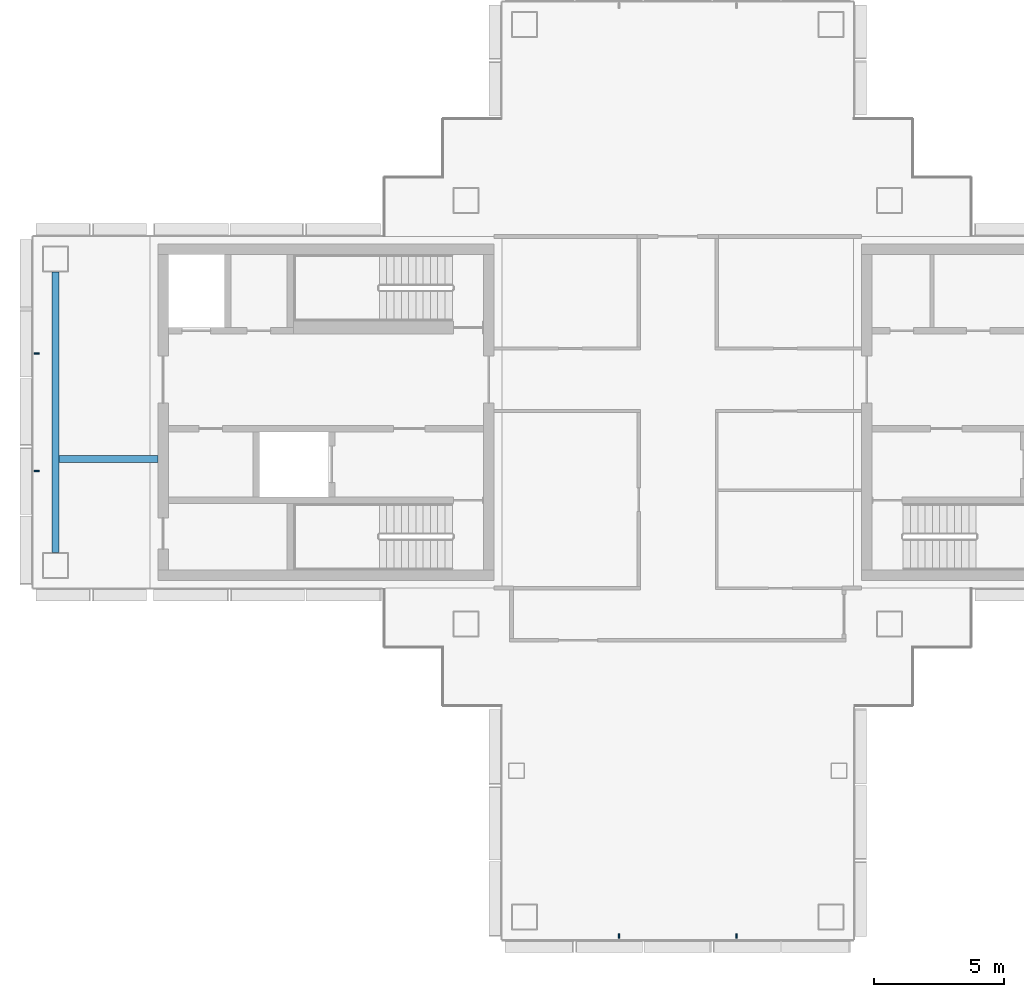
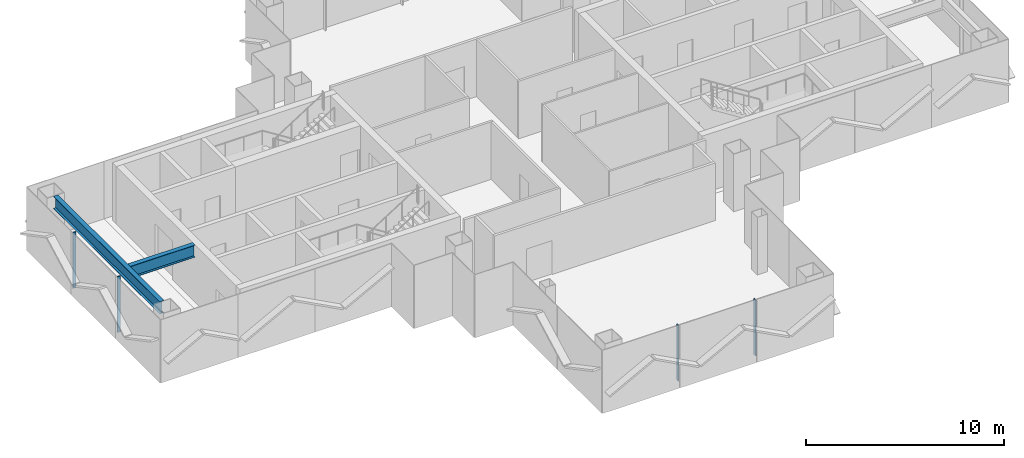
# One storey, part 3 of 17: 4 members, 2 beams, 2 elements without a shape of their own.
"""IFC4 building model written with IfcOpenShell, lengths in metres."""

from ifc_helpers import new_model, si_unit, direction, frame, origin, origin_2d, place, context, subcontext, project, spatial, rectangle, i_section, extrude, material, layer, layer_set, material_profile, profile_set, type_object, element, aggregate, save


model = new_model("IFC4")

# Units and contexts
model_context = context("Model", 3, precision=1e-05, world=origin(), true_north=direction((0.0, 1.0)))
body_context = subcontext(model_context, "Body", "Model", "MODEL_VIEW")
ifc_project = project(units=[si_unit("LENGTHUNIT", "METRE"), si_unit("AREAUNIT", "SQUARE_METRE"), si_unit("VOLUMEUNIT", "CUBIC_METRE"), si_unit("PLANEANGLEUNIT", "RADIAN"), si_unit("MASSUNIT", "GRAM", prefix="KILO")], contexts=[model_context])

# Site, building, storey
site_placement = place(None, origin())
site = spatial("IfcSite", under=ifc_project, at=site_placement, CompositionType="ELEMENT")
building_placement = place(site_placement, origin())
building = spatial("IfcBuilding", under=site, at=building_placement, Name="Shamsa Quay Exchange Towers", CompositionType="ELEMENT")
storey_placement = place(building_placement, frame((0.0, 0.0, 194.39990234375)))
storey = spatial("IfcBuildingStorey", under=building, at=storey_placement, Name="L46", CompositionType="ELEMENT", Elevation=194.39990234375)

# Curtain wall, members
ifc_material_1 = material(Name="Aluminium EN AW-6063 T6, black anodised", Category="aluminium")
ifc_layer = layer(ifc_material_1, 0.280029296875)
ifc_layer_set = layer_set([ifc_layer], Name="CW-1 UNITISED VISION GLASS")
curtain_wall_type = type_object("IfcCurtainWallType", Name="CW-1 UNITISED VISION GLASS", PredefinedType="NOTDEFINED", material=ifc_layer_set)
curtain_wall_1_placement = place(storey_placement, origin())
curtain_wall_1 = element("IfcCurtainWall", 1, at=curtain_wall_1_placement, inside=storey, type_object=curtain_wall_type, Name="CW1 T1-END-V- L46", PredefinedType="NOTDEFINED")
ifc_material_profile_1 = material_profile(ifc_material_1, rectangle(XDim=0.179931640625, YDim=0.06005859375, at=origin_2d()), Name="MU60x180")
ifc_profile_set_1 = profile_set([ifc_material_profile_1], Name="Aluminium EN AW-6063 T6, black anodised")
member_type = type_object("IfcMemberType", Name="CW1 MULLION 60x180", PredefinedType="MULLION", material=ifc_profile_set_1)
member_1_placement = place(storey_placement, frame((-36.0, -20.10009765625, 0.0), z_axis=(0.0, 0.0, 1.0), x_axis=(0.0, 1.0, 0.0)))
member_1 = element("IfcMember", 2, at=member_1_placement, type_object=member_type, Name="CW1 mullion", PredefinedType="MULLION", context=body_context, shape_type="SweptSolid", body=[
    extrude(rectangle(XDim=0.179931640625, YDim=0.06005859375, at=origin_2d()), origin(), (0.0, 0.0, 1.0), 3.4501953125),
])
member_2_placement = place(storey_placement, frame((-31.5, -20.10009765625, 0.0), z_axis=(0.0, 0.0, 1.0), x_axis=(0.0, 1.0, 0.0)))
member_2 = element("IfcMember", 3, at=member_2_placement, type_object=member_type, Name="CW1 mullion", PredefinedType="MULLION", context=body_context, shape_type="SweptSolid", body=[
    extrude(rectangle(XDim=0.179931640625, YDim=0.06005859375, at=origin_2d()), origin(), (0.0, 0.0, 1.0), 3.4501953125),
])
aggregate(curtain_wall_1, [member_1, member_2])

curtain_wall_2_placement = place(storey_placement, origin())
curtain_wall_2 = element("IfcCurtainWall", 4, at=curtain_wall_2_placement, inside=storey, type_object=curtain_wall_type, Name="CW1 T1-END-U- L46", PredefinedType="NOTDEFINED")
member_3_placement = place(storey_placement, frame((-58.35009765625, 2.25, 0.0)))
member_3 = element("IfcMember", 5, at=member_3_placement, type_object=member_type, Name="CW1 mullion", PredefinedType="MULLION", context=body_context, shape_type="SweptSolid", body=[
    extrude(rectangle(XDim=0.179931640625, YDim=0.06005859375, at=origin_2d()), origin(), (0.0, 0.0, 1.0), 3.4501953125),
])
member_4_placement = place(storey_placement, frame((-58.35009765625, -2.25, 0.0)))
member_4 = element("IfcMember", 6, at=member_4_placement, type_object=member_type, Name="CW1 mullion", PredefinedType="MULLION", context=body_context, shape_type="SweptSolid", body=[
    extrude(rectangle(XDim=0.179931640625, YDim=0.06005859375, at=origin_2d()), origin(), (0.0, 0.0, 1.0), 3.4501953125),
])
aggregate(curtain_wall_2, [member_3, member_4])

# Beams
ifc_material_2 = material(Name="Steel S355", Category="steel")
ifc_material_profile_2 = material_profile(ifc_material_2, i_section(OverallWidth=0.26611328125, OverallDepth=0.7578125, WebThickness=0.013916015625, FlangeThickness=0.019287109375, at=origin_2d()), Name="W30x108")
ifc_profile_set_2 = profile_set([ifc_material_profile_2], Name="Steel S355")
beam_type = type_object("IfcBeamType", Name="End-zone beam W30x108", PredefinedType="BEAM", material=ifc_profile_set_2)
beam_1_placement = place(storey_placement, frame((-57.625, -5.375, 3.171142578125), z_axis=(0.0, 1.0, 0.0), x_axis=(-1.0, 0.0, 0.0)))
element("IfcBeam", 7, at=beam_1_placement, inside=storey, type_object=beam_type, Name="End beam T1 U- end zone L46", PredefinedType="BEAM", context=body_context, shape_type="SweptSolid", body=[
    extrude(i_section(OverallWidth=0.26611328125, OverallDepth=0.7578125, WebThickness=0.013916015625, FlangeThickness=0.019287109375, at=origin_2d()), origin(), (0.0, 0.0, 1.0), 10.75),
])
beam_2_placement = place(storey_placement, frame((-53.699951171875, -1.800048828125, 3.171142578125), z_axis=(-1.0, 0.0, 0.0), x_axis=(0.0, -1.0, 0.0)))
element("IfcBeam", 8, at=beam_2_placement, inside=storey, type_object=beam_type, Name="Spine beam T1 U- end zone L46", PredefinedType="BEAM", context=body_context, shape_type="SweptSolid", body=[
    extrude(i_section(OverallWidth=0.26611328125, OverallDepth=0.7578125, WebThickness=0.013916015625, FlangeThickness=0.019287109375, at=origin_2d()), origin(), (0.0, 0.0, 1.0), 3.7919921875),
])

save(model, "model.ifc")
